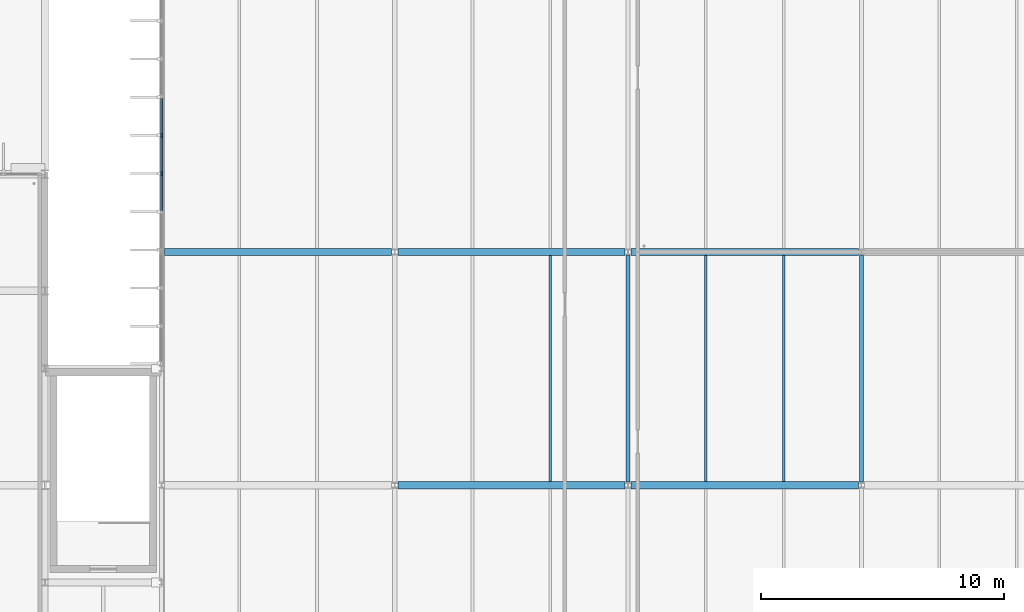
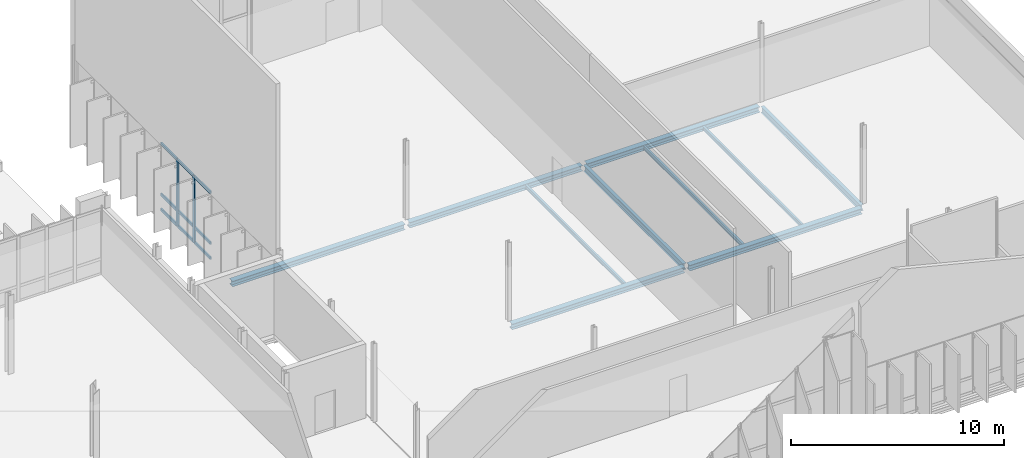
# One storey, part 45 of 110: 11 members, 10 beams, 1 element without a shape of its own.
"""IFC4 building model written with IfcOpenShell, lengths in metres."""

from ifc_helpers import new_model, si_unit, direction, frame, origin, origin_2d, place, context, subcontext, project, spatial, rectangle, i_section, extrude, material, material_profile, profile_set, type_object, element, aggregate, save


model = new_model("IFC4")

# Units and contexts
model_context = context("Model", 3, precision=1e-05, world=origin(), true_north=direction((0.0, 1.0)))
body_context = subcontext(model_context, "Body", "Model", "MODEL_VIEW")
ifc_project = project(units=[si_unit("LENGTHUNIT", "METRE"), si_unit("AREAUNIT", "SQUARE_METRE"), si_unit("VOLUMEUNIT", "CUBIC_METRE"), si_unit("PLANEANGLEUNIT", "RADIAN"), si_unit("MASSUNIT", "GRAM", prefix="KILO")], contexts=[model_context])

# Site, building, storey
site_placement = place(None, origin())
site = spatial("IfcSite", under=ifc_project, at=site_placement, CompositionType="ELEMENT")
building_placement = place(site_placement, origin())
building = spatial("IfcBuilding", under=site, at=building_placement, Name="Dunescarp Central Library", CompositionType="ELEMENT")
storey_placement = place(building_placement, frame((0.0, 0.0, 9.60009765625)))
storey = spatial("IfcBuildingStorey", under=building, at=storey_placement, Name="L02", CompositionType="ELEMENT", Elevation=9.60009765625)

# Curtain wall, members
ifc_material_1 = material(Name="Marine-grade anodised aluminium 6063-T6", Category="aluminium")
curtain_wall_type = type_object("IfcCurtainWallType", Name="ARC-CW-STICK", PredefinedType="NOTDEFINED", material=ifc_material_1)
curtain_wall_placement = place(storey_placement, origin())
curtain_wall = element("IfcCurtainWall", 1, at=curtain_wall_placement, inside=storey, type_object=curtain_wall_type, Name="L02 curtain wall CW-V5-169", PredefinedType="NOTDEFINED")
ifc_material_profile_1 = material_profile(ifc_material_1, rectangle(XDim=0.080078125, YDim=0.179931640625, at=origin_2d()), Name="AL 80x180")
ifc_profile_set_1 = profile_set([ifc_material_profile_1], Name="Marine-grade anodised aluminium 6063-T6")
member_type_1 = type_object("IfcMemberType", Name="ARC-CWM-180", PredefinedType="MULLION", material=ifc_profile_set_1)
member_1_placement = place(storey_placement, frame((129.60009765625, 33.629150390625, 0.0), z_axis=(0.0, 0.0, 1.0), x_axis=(-1.0, 0.0, 0.0)))
member_1 = element("IfcMember", 2, at=member_1_placement, type_object=member_type_1, Name="CW-V5-169 mullion 6", PredefinedType="MULLION", context=body_context, shape_type="SweptSolid", body=[
    extrude(rectangle(XDim=0.080078125, YDim=0.179931640625, at=origin_2d()), origin(), (0.0, 0.0, 1.0), 3.844970703125),
])
member_2_placement = place(storey_placement, frame((129.60009765625, 35.199951171875, 0.0), z_axis=(0.0, 0.0, 1.0), x_axis=(-1.0, 0.0, 0.0)))
member_2 = element("IfcMember", 3, at=member_2_placement, type_object=member_type_1, Name="CW-V5-169 mullion 7", PredefinedType="MULLION", context=body_context, shape_type="SweptSolid", body=[
    extrude(rectangle(XDim=0.080078125, YDim=0.179931640625, at=origin_2d()), origin(), (0.0, 0.0, 1.0), 3.844970703125),
])
ifc_material_profile_2 = material_profile(ifc_material_1, rectangle(XDim=0.080078125, YDim=0.14990234375, at=origin_2d()), Name="AL 80x150")
ifc_profile_set_2 = profile_set([ifc_material_profile_2], Name="Marine-grade anodised aluminium 6063-T6")
member_type_2 = type_object("IfcMemberType", Name="ARC-CWT-150", PredefinedType="USERDEFINED", material=ifc_profile_set_2)
member_3_placement = place(storey_placement, frame((129.60009765625, 32.098388671875, 0.039794921875), z_axis=(0.0, 1.0, 0.0), x_axis=(-1.0, 0.0, 0.0)))
member_3 = element("IfcMember", 4, at=member_3_placement, type_object=member_type_2, Name="CW-V5-169 transom 5.1", ObjectType="TRANSOM", PredefinedType="USERDEFINED", context=body_context, shape_type="SweptSolid", body=[
    extrude(rectangle(XDim=0.080078125, YDim=0.14990234375, at=origin_2d()), origin(), (0.0, 0.0, 1.0), 1.49072265625),
])
member_4_placement = place(storey_placement, frame((129.60009765625, 32.098388671875, 0.89990234375), z_axis=(0.0, 1.0, 0.0), x_axis=(-1.0, 0.0, 0.0)))
member_4 = element("IfcMember", 5, at=member_4_placement, type_object=member_type_2, Name="CW-V5-169 transom 5.2", ObjectType="TRANSOM", PredefinedType="USERDEFINED", context=body_context, shape_type="SweptSolid", body=[
    extrude(rectangle(XDim=0.080078125, YDim=0.14990234375, at=origin_2d()), origin(), (0.0, 0.0, 1.0), 1.49072265625),
])
member_5_placement = place(storey_placement, frame((129.60009765625, 32.098388671875, 3.804931640625), z_axis=(0.0, 1.0, 0.0), x_axis=(-1.0, 0.0, 0.0)))
member_5 = element("IfcMember", 6, at=member_5_placement, type_object=member_type_2, Name="CW-V5-169 transom 5.3", ObjectType="TRANSOM", PredefinedType="USERDEFINED", context=body_context, shape_type="SweptSolid", body=[
    extrude(rectangle(XDim=0.080078125, YDim=0.14990234375, at=origin_2d()), origin(), (0.0, 0.0, 1.0), 1.49072265625),
])
member_6_placement = place(storey_placement, frame((129.60009765625, 33.669189453125, 0.039794921875), z_axis=(0.0, 1.0, 0.0), x_axis=(-1.0, 0.0, 0.0)))
member_6 = element("IfcMember", 7, at=member_6_placement, type_object=member_type_2, Name="CW-V5-169 transom 6.1", ObjectType="TRANSOM", PredefinedType="USERDEFINED", context=body_context, shape_type="SweptSolid", body=[
    extrude(rectangle(XDim=0.080078125, YDim=0.14990234375, at=origin_2d()), origin(), (0.0, 0.0, 1.0), 1.49072265625),
])
member_7_placement = place(storey_placement, frame((129.60009765625, 33.669189453125, 0.89990234375), z_axis=(0.0, 1.0, 0.0), x_axis=(-1.0, 0.0, 0.0)))
member_7 = element("IfcMember", 8, at=member_7_placement, type_object=member_type_2, Name="CW-V5-169 transom 6.2", ObjectType="TRANSOM", PredefinedType="USERDEFINED", context=body_context, shape_type="SweptSolid", body=[
    extrude(rectangle(XDim=0.080078125, YDim=0.14990234375, at=origin_2d()), origin(), (0.0, 0.0, 1.0), 1.49072265625),
])
member_8_placement = place(storey_placement, frame((129.60009765625, 33.669189453125, 3.804931640625), z_axis=(0.0, 1.0, 0.0), x_axis=(-1.0, 0.0, 0.0)))
member_8 = element("IfcMember", 9, at=member_8_placement, type_object=member_type_2, Name="CW-V5-169 transom 6.3", ObjectType="TRANSOM", PredefinedType="USERDEFINED", context=body_context, shape_type="SweptSolid", body=[
    extrude(rectangle(XDim=0.080078125, YDim=0.14990234375, at=origin_2d()), origin(), (0.0, 0.0, 1.0), 1.49072265625),
])
member_9_placement = place(storey_placement, frame((129.60009765625, 35.239990234375, 0.039794921875), z_axis=(0.0, 1.0, 0.0), x_axis=(-1.0, 0.0, 0.0)))
member_9 = element("IfcMember", 10, at=member_9_placement, type_object=member_type_2, Name="CW-V5-169 transom 7.1", ObjectType="TRANSOM", PredefinedType="USERDEFINED", context=body_context, shape_type="SweptSolid", body=[
    extrude(rectangle(XDim=0.080078125, YDim=0.14990234375, at=origin_2d()), origin(), (0.0, 0.0, 1.0), 1.49072265625),
])
member_10_placement = place(storey_placement, frame((129.60009765625, 35.239990234375, 0.89990234375), z_axis=(0.0, 1.0, 0.0), x_axis=(-1.0, 0.0, 0.0)))
member_10 = element("IfcMember", 11, at=member_10_placement, type_object=member_type_2, Name="CW-V5-169 transom 7.2", ObjectType="TRANSOM", PredefinedType="USERDEFINED", context=body_context, shape_type="SweptSolid", body=[
    extrude(rectangle(XDim=0.080078125, YDim=0.14990234375, at=origin_2d()), origin(), (0.0, 0.0, 1.0), 1.49072265625),
])
member_11_placement = place(storey_placement, frame((129.60009765625, 35.239990234375, 3.804931640625), z_axis=(0.0, 1.0, 0.0), x_axis=(-1.0, 0.0, 0.0)))
member_11 = element("IfcMember", 12, at=member_11_placement, type_object=member_type_2, Name="CW-V5-169 transom 7.3", ObjectType="TRANSOM", PredefinedType="USERDEFINED", context=body_context, shape_type="SweptSolid", body=[
    extrude(rectangle(XDim=0.080078125, YDim=0.14990234375, at=origin_2d()), origin(), (0.0, 0.0, 1.0), 1.49072265625),
])
aggregate(curtain_wall, [member_1, member_2, member_3, member_4, member_5, member_6, member_7, member_8, member_9, member_10, member_11])

# Beams
ifc_material_2 = material(Name="Steel S355JR", Category="steel")
ifc_material_profile_3 = material_profile(ifc_material_2, i_section(OverallWidth=0.300048828125, OverallDepth=0.320068359375, WebThickness=0.011474609375, FlangeThickness=0.0205078125, at=origin_2d()), Name="HEB 320")
ifc_profile_set_3 = profile_set([ifc_material_profile_3], Name="Steel S355JR")
beam_type_1 = type_object("IfcBeamType", Name="STR-BM-HEB320", PredefinedType="BEAM", material=ifc_profile_set_3)
beam_placement = place(storey_placement, frame((129.72607421875, 30.39990234375, -0.3701171875), z_axis=(1.0, 0.0, 0.0), x_axis=(0.0, 1.0, 0.0)))
element("IfcBeam", 13, at=beam_placement, inside=storey, type_object=beam_type_1, Name="L02 girder BM-L02-1154", PredefinedType="BEAM", context=body_context, shape_type="SweptSolid", body=[
    extrude(i_section(OverallWidth=0.300048828125, OverallDepth=0.320068359375, WebThickness=0.011474609375, FlangeThickness=0.0205078125, at=origin_2d()), origin(), (0.0, 0.0, 1.0), 9.347900390625),
])
for number, where, z_axis, x_axis, name in (
    (14, (139.325927734375, 20.800048828125, -0.3701171875), (1.0, 0.0, 0.0), (0.0, 1.0, 0.0), "L02 girder BM-L02-1169"),
    (15, (139.325927734375, 30.39990234375, -0.3701171875), (1.0, 0.0, 0.0), (0.0, 1.0, 0.0), "L02 girder BM-L02-1173"),
):
    element("IfcBeam", number, at=place(storey_placement, frame(where, z_axis=z_axis, x_axis=x_axis)), inside=storey, type_object=beam_type_1, Name=name, PredefinedType="BEAM", context=body_context, shape_type="SweptSolid", body=[
        extrude(i_section(OverallWidth=0.300048828125, OverallDepth=0.320068359375, WebThickness=0.011474609375, FlangeThickness=0.0205078125, at=origin_2d()), origin(), (0.0, 0.0, 1.0), 9.34814453125),
    ])
for number, where, z_axis, x_axis, name in (
    (16, (148.926025390625, 20.800048828125, -0.3701171875), (1.0, 0.0, 0.0), (0.0, 1.0, 0.0), "L02 girder BM-L02-1186"),
    (17, (148.926025390625, 30.39990234375, -0.3701171875), (1.0, 0.0, 0.0), (0.0, 1.0, 0.0), "L02 girder BM-L02-1190"),
):
    element("IfcBeam", number, at=place(storey_placement, frame(where, z_axis=z_axis, x_axis=x_axis)), inside=storey, type_object=beam_type_1, Name=name, PredefinedType="BEAM", context=body_context, shape_type="SweptSolid", body=[
        extrude(i_section(OverallWidth=0.300048828125, OverallDepth=0.320068359375, WebThickness=0.011474609375, FlangeThickness=0.0205078125, at=origin_2d()), origin(), (0.0, 0.0, 1.0), 9.347900390625),
    ])
ifc_material_profile_4 = material_profile(ifc_material_2, i_section(OverallWidth=0.17138671875, OverallDepth=0.35498046875, WebThickness=0.00732421875, FlangeThickness=0.011474609375, at=origin_2d()), Name="UB 356x171x51")
ifc_profile_set_4 = profile_set([ifc_material_profile_4], Name="Steel S355JR")
beam_type_2 = type_object("IfcBeamType", Name="STR-BM-UB356X51", PredefinedType="BEAM", material=ifc_profile_set_4)
for number, where, z_axis, x_axis, name in (
    (18, (148.800048828125, 20.929931640625, -0.38720703125), (0.0, 1.0, 0.0), (-1.0, 0.0, 0.0), "L02 girder BM-L02-1174"),
    (19, (158.39990234375, 20.929931640625, -0.38720703125), (0.0, 1.0, 0.0), (-1.0, 0.0, 0.0), "L02 girder BM-L02-1191"),
):
    element("IfcBeam", number, at=place(storey_placement, frame(where, z_axis=z_axis, x_axis=x_axis)), inside=storey, type_object=beam_type_2, Name=name, PredefinedType="BEAM", context=body_context, shape_type="SweptSolid", body=[
        extrude(i_section(OverallWidth=0.17138671875, OverallDepth=0.35498046875, WebThickness=0.00732421875, FlangeThickness=0.011474609375, at=origin_2d()), origin(), (0.0, 0.0, 1.0), 9.340087890625),
    ])
ifc_material_profile_5 = material_profile(ifc_material_2, i_section(OverallWidth=0.110107421875, OverallDepth=0.219970703125, WebThickness=0.005859375, FlangeThickness=0.00927734375, at=origin_2d()), Name="IPE 220")
ifc_profile_set_5 = profile_set([ifc_material_profile_5], Name="Steel S355JR")
beam_type_3 = type_object("IfcBeamType", Name="STR-JS-IPE220", PredefinedType="JOIST", material=ifc_profile_set_5)
for number, where, z_axis, x_axis, name in (
    (20, (145.60009765625, 20.947998046875, -0.320068359375), (0.0, 1.0, 0.0), (-1.0, 0.0, 0.0), "L02 joist JS-L02-1176"),
    (21, (152.0, 20.947998046875, -0.320068359375), (0.0, 1.0, 0.0), (-1.0, 0.0, 0.0), "L02 joist JS-L02-1192"),
    (22, (155.199951171875, 20.947998046875, -0.320068359375), (0.0, 1.0, 0.0), (-1.0, 0.0, 0.0), "L02 joist JS-L02-1193"),
):
    element("IfcBeam", number, at=place(storey_placement, frame(where, z_axis=z_axis, x_axis=x_axis)), inside=storey, type_object=beam_type_3, Name=name, PredefinedType="JOIST", context=body_context, shape_type="SweptSolid", body=[
        extrude(i_section(OverallWidth=0.110107421875, OverallDepth=0.219970703125, WebThickness=0.005859375, FlangeThickness=0.00927734375, at=origin_2d()), origin(), (0.0, 0.0, 1.0), 9.303955078125),
    ])

save(model, "model.ifc")
